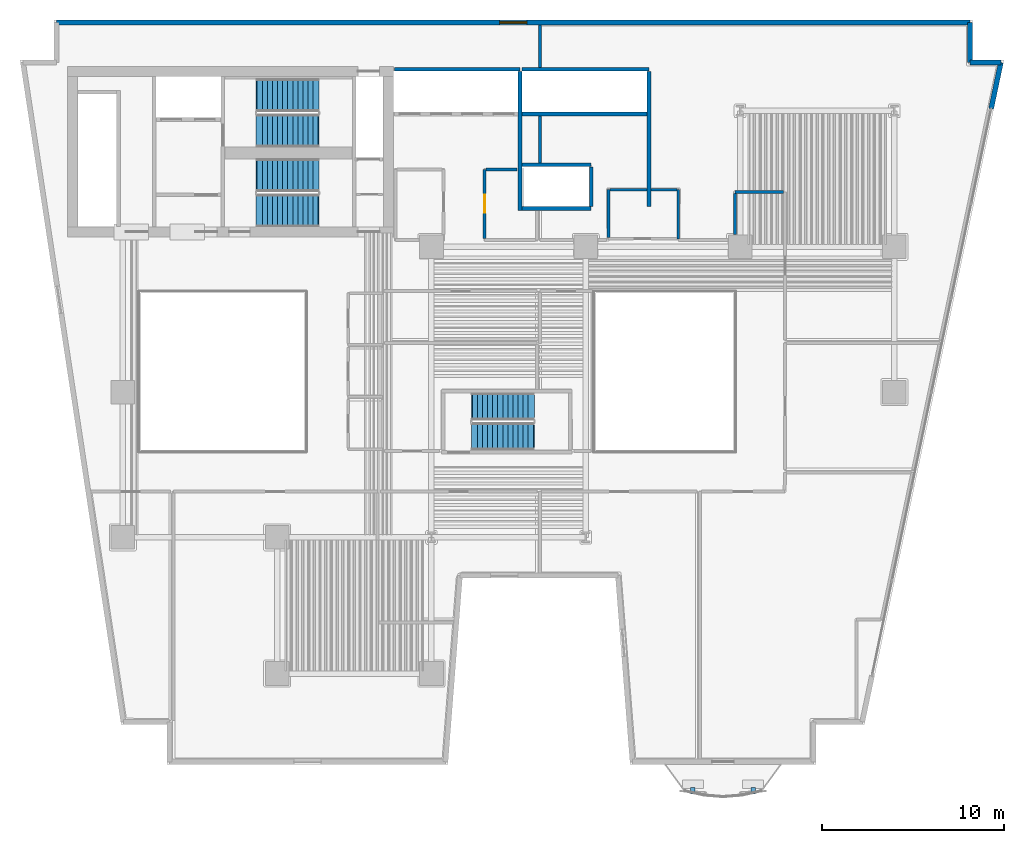
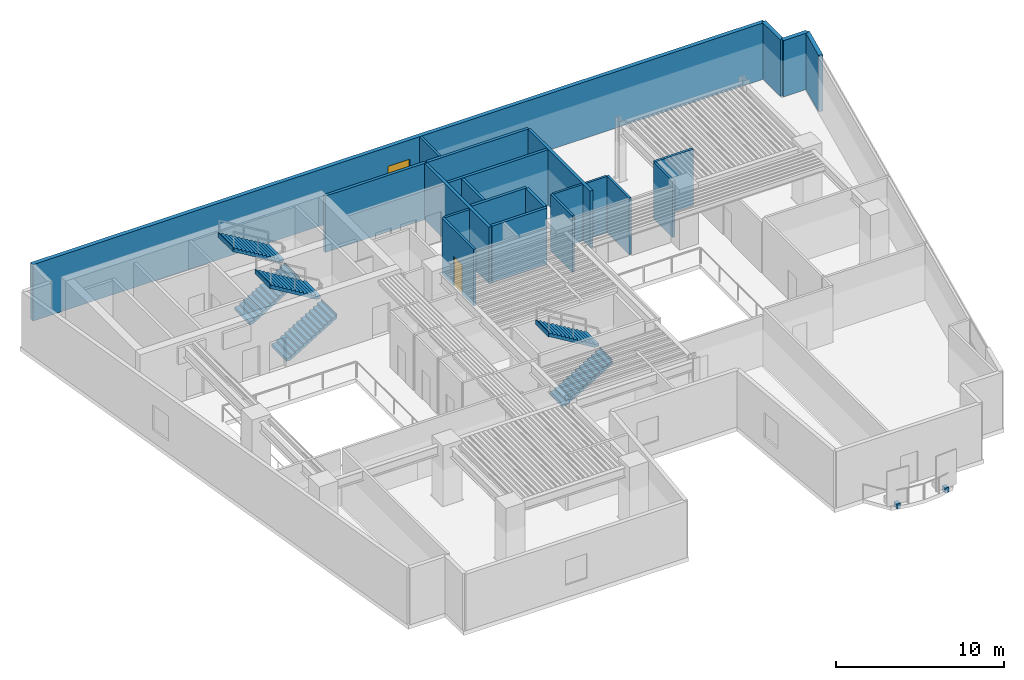
# One storey, part 6 of 11: 22 walls, 6 stair flights, 2 discrete accessories, 1 door, 1 window, 2 openings, 3 elements without a shape of their own.
"""IFC4 building model written with IfcOpenShell, lengths in metres."""

from ifc_helpers import new_model, si_unit, direction, frame, frame_2d, origin, origin_2d, place, context, subcontext, project, spatial, polyline, rectangle, outline, extrude, material, layer, layer_set, type_object, element, fill, aggregate, save


model = new_model("IFC4")

# Units and contexts
model_context = context("Model", 3, precision=1e-05, world=origin(), true_north=direction((0.0, 1.0)))
body_context = subcontext(model_context, "Body", "Model", "MODEL_VIEW")
ifc_project = project(units=[si_unit("LENGTHUNIT", "METRE"), si_unit("AREAUNIT", "SQUARE_METRE"), si_unit("VOLUMEUNIT", "CUBIC_METRE"), si_unit("PLANEANGLEUNIT", "RADIAN"), si_unit("MASSUNIT", "GRAM", prefix="KILO")], contexts=[model_context])

# Site, building, storey
site_placement = place(None, origin())
site = spatial("IfcSite", under=ifc_project, at=site_placement, CompositionType="ELEMENT")
building_placement = place(site_placement, origin())
building = spatial("IfcBuilding", under=site, at=building_placement, Name="Caeloran Harvest Quay", CompositionType="ELEMENT")
storey_placement = place(building_placement, frame((0.0, 0.0, 62.199951171875)))
storey = spatial("IfcBuildingStorey", under=building, at=storey_placement, Name="L14", CompositionType="ELEMENT", Elevation=62.199951171875)

# Wall, opening, window
ifc_material_1 = material(Name="Precast concrete C50/60", Category="concrete")
ifc_layer_1 = layer(ifc_material_1, 0.280029296875, Name="Precast concrete C50/60")
ifc_layer_set_1 = layer_set([ifc_layer_1], Name="Precast concrete C50/60")
wall_type_1 = type_object("IfcWallType", Name="ENV-WALL-EW-280", PredefinedType="STANDARD", material=ifc_layer_set_1)
wall_1_placement = place(storey_placement, frame((4.840087890625, 43.360107421875, 0.0), z_axis=(0.0, 0.0, 1.0), x_axis=(1.0, 0.0, 0.0)))
wall_1 = element("IfcWall", 1, at=wall_1_placement, inside=storey, type_object=wall_type_1, Name="L14 Exterior Precast Concrete Facade Wall 6", PredefinedType="STANDARD", context=body_context, shape_type="SweptSolid", body=[
    extrude(rectangle(XDim=50.31982421875, YDim=0.280029296875, at=frame_2d((25.159912109375, 0.0))), origin(), (0.0, 0.0, 1.0), 4.10009765625),
])
opening_1_placement = place(wall_1_placement, frame((24.409912109375, 0.0, 0.89990234375)))
opening_1 = element("IfcOpeningElement", 2, at=opening_1_placement, cuts=wall_1, Name="Opening W-03", PredefinedType="OPENING", context=body_context, shape_type="SweptSolid", body=[
    extrude(rectangle(XDim=1.5, YDim=1.800048828125, at=frame_2d((0.75, 0.89990234375))), frame((0.0, 0.14990234375, 0.0), z_axis=(0.0, -1.0, 0.0), x_axis=(1.0, 0.0, 0.0)), (0.0, 0.0, 1.0), 0.300048828125),
])
ifc_material_2 = material(Name="Aluminium-Framed Low-E Laminated Glass", Category="aluminium")
window_type = type_object("IfcWindowType", Name="WIN-W-03", PartitioningType="SINGLE_PANEL", PredefinedType="WINDOW", material=ifc_material_2)
window_placement = place(opening_1_placement, origin())
window = element("IfcWindow", 3, at=window_placement, inside=storey, type_object=window_type, Name="L14 Facade Punched Window W-03", OverallHeight=1.800048828125, OverallWidth=1.5, PartitioningType="SINGLE_PANEL", PredefinedType="WINDOW", context=body_context, shape_type="SweptSolid", body=[
    extrude(rectangle(XDim=1.5, YDim=1.800048828125, at=frame_2d((0.75, 0.89990234375))), frame((0.0, 0.030029296875, 0.0), z_axis=(0.0, -1.0, 0.0), x_axis=(1.0, 0.0, 0.0)), (0.0, 0.0, 1.0), 0.06005859375),
])
fill(opening_1, window)

# Walls
wall_2_placement = place(storey_placement, frame((55.159912109375, 43.360107421875, 0.0), z_axis=(0.0, 0.0, 1.0), x_axis=(0.0, -1.0, 0.0)))
element("IfcWall", 4, at=wall_2_placement, inside=storey, type_object=wall_type_1, Name="L14 Exterior Precast Concrete Facade Wall 7", PredefinedType="STANDARD", context=body_context, shape_type="SweptSolid", body=[
    extrude(rectangle(XDim=2.2001953125, YDim=0.280029296875, at=frame_2d((1.10009765625, 0.0))), origin(), (0.0, 0.0, 1.0), 4.10009765625),
])
wall_3_placement = place(storey_placement, frame((55.159912109375, 41.159912109375, 0.0), z_axis=(0.0, 0.0, 1.0), x_axis=(1.0, 0.0, 0.0)))
element("IfcWall", 5, at=wall_3_placement, inside=storey, type_object=wall_type_1, Name="L14 Exterior Precast Concrete Facade Wall 8", PredefinedType="STANDARD", context=body_context, shape_type="SweptSolid", body=[
    extrude(rectangle(XDim=1.705322265625, YDim=0.280029296875, at=frame_2d((0.8525390625, 0.0))), origin(), (0.0, 0.0, 1.0), 4.10009765625),
])
wall_4_placement = place(storey_placement, frame((56.865234375, 41.159912109375, 0.0), z_axis=(0.0, 0.0, 1.0), x_axis=(-0.205551409765, -0.978646319128, 0.0)))
element("IfcWall", 6, at=wall_4_placement, inside=storey, type_object=wall_type_1, Name="L14 Exterior Facade Corner Pier Wall 9A", PredefinedType="STANDARD", context=body_context, shape_type="SweptSolid", body=[
    extrude(rectangle(XDim=2.599853515625, YDim=0.280029296875, at=frame_2d((1.2998046875, 0.0))), origin(), (0.0, 0.0, 1.0), 4.10009765625),
])
ifc_material_3 = material(Name="Autoclaved Aerated Concrete Blockwork and Plasterboard", Category="masonry")
ifc_layer_2 = layer(ifc_material_3, 0.14990234375, Name="Autoclaved Aerated Concrete Blockwork and Plasterboard")
ifc_layer_set_2 = layer_set([ifc_layer_2], Name="Autoclaved Aerated Concrete Blockwork and Plasterboard")
wall_type_2 = type_object("IfcWallType", Name="INT-WALL-PW-150", PredefinedType="PARTITIONING", material=ifc_layer_set_2)
wall_5_placement = place(storey_placement, frame((39.10009765625, 34.14990234375, 0.0), z_axis=(0.0, 0.0, 1.0), x_axis=(0.0, -1.0, 0.0)))
element("IfcWall", 7, at=wall_5_placement, inside=storey, type_object=wall_type_2, Name="L14 Core Auxiliary Equipment Room Partition Wall", PredefinedType="PARTITIONING", context=body_context, shape_type="SweptSolid", body=[
    extrude(rectangle(XDim=2.699951171875, YDim=0.14990234375, at=frame_2d((1.35009765625, 0.0))), origin(), (0.0, 0.0, 1.0), 4.10009765625),
])
wall_6_placement = place(storey_placement, frame((35.25, 31.530029296875, 0.0), z_axis=(0.0, 0.0, 1.0), x_axis=(0.0, 1.0, 0.0)))
element("IfcWall", 8, at=wall_6_placement, inside=storey, type_object=wall_type_2, Name="L14 Core Auxiliary Equipment Room Partition Wall", PredefinedType="PARTITIONING", context=body_context, shape_type="SweptSolid", body=[
    extrude(rectangle(XDim=2.619873046875, YDim=0.14990234375, at=frame_2d((1.31005859375, 0.0))), origin(), (0.0, 0.0, 1.0), 4.10009765625),
])
wall_7_placement = place(storey_placement, frame((37.5849609375, 34.14990234375, 0.0), z_axis=(0.0, 0.0, 1.0), x_axis=(1.0, 0.0, 0.0)))
element("IfcWall", 9, at=wall_7_placement, inside=storey, type_object=wall_type_2, Name="L14 Core Auxiliary Equipment Room Partition Wall", PredefinedType="PARTITIONING", context=body_context, shape_type="SweptSolid", body=[
    extrude(rectangle(XDim=1.43505859375, YDim=0.14990234375, at=frame_2d((0.717529296875, 0.0))), origin(), (0.0, 0.0, 1.0), 4.10009765625),
])
wall_8_placement = place(storey_placement, frame((35.330078125, 34.14990234375, 0.0), z_axis=(0.0, 0.0, 1.0), x_axis=(1.0, 0.0, 0.0)))
element("IfcWall", 10, at=wall_8_placement, inside=storey, type_object=wall_type_2, Name="L14 Core Auxiliary Equipment Room Partition Wall", PredefinedType="PARTITIONING", context=body_context, shape_type="SweptSolid", body=[
    extrude(rectangle(XDim=2.044921875, YDim=0.14990234375, at=frame_2d((1.0224609375, 0.0))), origin(), (0.0, 0.0, 1.0), 4.10009765625),
])

# Wall, opening, door
ifc_material_4 = material(Name="Autoclaved Aerated Concrete Blockwork", Category="masonry")
ifc_layer_3 = layer(ifc_material_4, 0.1650390625, Name="Autoclaved Aerated Concrete Blockwork")
ifc_layer_set_3 = layer_set([ifc_layer_3], Name="Autoclaved Aerated Concrete Blockwork")
wall_type_3 = type_object("IfcWallType", Name="INT-WALL-PW-165", PredefinedType="PARTITIONING", material=ifc_layer_set_3)
wall_9_placement = place(storey_placement, frame((28.429931640625, 31.467529296875, 0.0), z_axis=(0.0, 0.0, 1.0), x_axis=(0.0, 1.0, 0.0)))
wall_9 = element("IfcWall", 11, at=wall_9_placement, inside=storey, type_object=wall_type_3, Name="Seedling Sensory Salon Lounge 10 Partition Wall", PredefinedType="PARTITIONING", context=body_context, shape_type="SweptSolid", body=[
    extrude(rectangle(XDim=3.802490234375, YDim=0.1650390625, at=frame_2d((1.9013671875, 0.0))), origin(), (0.0, 0.0, 1.0), 4.10009765625),
])
opening_2_placement = place(wall_9_placement, frame((1.4013671875, 0.0, 0.0)))
opening_2 = element("IfcOpeningElement", 12, at=opening_2_placement, cuts=wall_9, Name="Opening ID-01", PredefinedType="OPENING", context=body_context, shape_type="SweptSolid", body=[
    extrude(rectangle(XDim=1.0, YDim=2.14990234375, at=frame_2d((0.5, 1.074951171875))), frame((0.0, 0.092529296875, 0.0), z_axis=(0.0, -1.0, 0.0), x_axis=(1.0, 0.0, 0.0)), (0.0, 0.0, 1.0), 0.18505859375),
])
ifc_material_5 = material(Name="FSC Solid-Core Ash Timber and Acoustic Seal", Category="wood")
door_type = type_object("IfcDoorType", Name="INTDOOR-ID-01", OperationType="NOTDEFINED", PredefinedType="DOOR", material=ifc_material_5)
door_placement = place(opening_2_placement, origin())
door = element("IfcDoor", 13, at=door_placement, inside=storey, type_object=door_type, Name="Seedling Sensory Salon Lounge 10 Access Door", OperationType="SINGLE_SWING_RIGHT", OverallHeight=2.14990234375, OverallWidth=1.0, PredefinedType="DOOR", context=body_context, shape_type="SweptSolid", body=[
    extrude(rectangle(XDim=1.0, YDim=2.14990234375, at=frame_2d((0.5, 1.074951171875))), frame((0.0, 0.02490234375, 0.0), z_axis=(0.0, -1.0, 0.0), x_axis=(1.0, 0.0, 0.0)), (0.0, 0.0, 1.0), 0.050048828125),
])
fill(opening_2, door)

# Walls
wall_10_placement = place(storey_placement, frame((28.517578125, 35.27001953125, 0.0), z_axis=(0.0, 0.0, 1.0), x_axis=(1.0, 0.0, 0.0)))
element("IfcWall", 14, at=wall_10_placement, inside=storey, type_object=wall_type_3, Name="Seedling Sensory Salon Lounge 10 Partition Wall", PredefinedType="PARTITIONING", context=body_context, shape_type="SweptSolid", body=[
    extrude(rectangle(XDim=1.702392578125, YDim=0.1650390625, at=frame_2d((0.85107421875, 0.0))), origin(), (0.0, 0.0, 1.0), 4.10009765625),
])
wall_11_placement = place(storey_placement, frame((31.47998046875, 35.635009765625, 0.0), z_axis=(0.0, 0.0, 1.0), x_axis=(0.0, 1.0, 0.0)))
element("IfcWall", 15, at=wall_11_placement, inside=storey, type_object=wall_type_3, Name="Harvest Seminar Room 12 Partition Wall", PredefinedType="PARTITIONING", context=body_context, shape_type="SweptSolid", body=[
    extrude(rectangle(XDim=2.580078125, YDim=0.1650390625, at=frame_2d((1.2900390625, 0.0))), origin(), (0.0, 0.0, 1.0), 4.10009765625),
])
wall_12_placement = place(storey_placement, frame((31.47998046875, 40.885009765625, 0.0), z_axis=(0.0, 0.0, 1.0), x_axis=(0.0, 1.0, 0.0)))
element("IfcWall", 16, at=wall_12_placement, inside=storey, type_object=wall_type_3, Name="Harvest Seminar Room 12 Partition Wall", PredefinedType="PARTITIONING", context=body_context, shape_type="SweptSolid", body=[
    extrude(rectangle(XDim=2.330078125, YDim=0.1650390625, at=frame_2d((1.1650390625, 0.0))), origin(), (0.0, 0.0, 1.0), 4.10009765625),
])
wall_13_placement = place(storey_placement, frame((44.892578125, 34.030029296875, 0.0), z_axis=(0.0, 0.0, 1.0), x_axis=(-1.0, 0.0, 0.0)))
element("IfcWall", 17, at=wall_13_placement, inside=storey, type_object=wall_type_3, Name="Harvest Seminar Room 12 Partition Wall", PredefinedType="PARTITIONING", context=body_context, shape_type="SweptSolid", body=[
    extrude(rectangle(XDim=2.672607421875, YDim=0.1650390625, at=frame_2d((1.33642578125, 0.0))), origin(), (0.0, 0.0, 1.0), 4.10009765625),
])
wall_14_placement = place(storey_placement, frame((42.219970703125, 33.9423828125, 0.0), z_axis=(0.0, 0.0, 1.0), x_axis=(0.0, -1.0, 0.0)))
element("IfcWall", 18, at=wall_14_placement, inside=storey, type_object=wall_type_3, Name="Harvest Seminar Room 12 Partition Wall", PredefinedType="PARTITIONING", context=body_context, shape_type="SweptSolid", body=[
    extrude(rectangle(XDim=2.267333984375, YDim=0.1650390625, at=frame_2d((1.1337890625, 0.0))), origin(), (0.0, 0.0, 1.0), 4.10009765625),
])
ifc_material_6 = material(Name="Concrete C50/60", Category="concrete")
ifc_layer_4 = layer(ifc_material_6, 0.199951171875, Name="Concrete C50/60")
ifc_layer_set_4 = layer_set([ifc_layer_4], Name="Concrete C50/60")
wall_type_4 = type_object("IfcWallType", Name="INT-WALL-SW-200", PredefinedType="PARTITIONING", material=ifc_layer_set_4)
wall_15_placement = place(storey_placement, frame((23.469970703125, 40.780029296875, 0.0), z_axis=(0.0, 0.0, 1.0), x_axis=(1.0, 0.0, 0.0)))
element("IfcWall", 19, at=wall_15_placement, inside=storey, type_object=wall_type_4, Name="L14 Bank 1 Lift Shaft North Wall", PredefinedType="PARTITIONING", context=body_context, shape_type="SweptSolid", body=[
    extrude(rectangle(XDim=6.909912109375, YDim=0.199951171875, at=frame_2d((3.455078125, 0.0))), origin(), (0.0, 0.0, 1.0), 4.10009765625),
])
wall_16_placement = place(storey_placement, frame((30.3798828125, 33.02001953125, 0.0), z_axis=(0.0, 0.0, 1.0), x_axis=(0.0, 1.0, 0.0)))
element("IfcWall", 20, at=wall_16_placement, inside=storey, type_object=wall_type_4, Name="L14 Bank 1 Lift Shaft East Wall", PredefinedType="PARTITIONING", context=body_context, shape_type="SweptSolid", body=[
    extrude(rectangle(XDim=7.639892578125, YDim=0.199951171875, at=frame_2d((3.81982421875, 0.0))), origin(), (0.0, 0.0, 1.0), 4.10009765625),
])
wall_17_placement = place(storey_placement, frame((30.5, 40.780029296875, 0.0), z_axis=(0.0, 0.0, 1.0), x_axis=(1.0, 0.0, 0.0)))
element("IfcWall", 21, at=wall_17_placement, inside=storey, type_object=wall_type_4, Name="L14 Bank 2 Lift Shaft North Wall", PredefinedType="PARTITIONING", context=body_context, shape_type="SweptSolid", body=[
    extrude(rectangle(XDim=6.97998046875, YDim=0.199951171875, at=frame_2d((3.489990234375, 0.0))), origin(), (0.0, 0.0, 1.0), 4.10009765625),
])
wall_18_placement = place(storey_placement, frame((37.47998046875, 33.239990234375, 0.0), z_axis=(0.0, 0.0, 1.0), x_axis=(0.0, 1.0, 0.0)))
element("IfcWall", 22, at=wall_18_placement, inside=storey, type_object=wall_type_4, Name="L14 Bank 2 Lift Shaft East Wall", PredefinedType="PARTITIONING", context=body_context, shape_type="SweptSolid", body=[
    extrude(rectangle(XDim=7.419921875, YDim=0.199951171875, at=frame_2d((3.7099609375, 0.0))), origin(), (0.0, 0.0, 1.0), 4.10009765625),
])
wall_19_placement = place(storey_placement, frame((30.5, 38.320068359375, 0.0), z_axis=(0.0, 0.0, 1.0), x_axis=(1.0, 0.0, 0.0)))
element("IfcWall", 23, at=wall_19_placement, inside=storey, type_object=wall_type_4, Name="L14 Bank 2 Lift Landing Front Wall", PredefinedType="PARTITIONING", context=body_context, shape_type="SweptSolid", body=[
    extrude(rectangle(XDim=6.860107421875, YDim=0.199951171875, at=frame_2d((3.43017578125, 0.0))), origin(), (0.0, 0.0, 1.0), 4.10009765625),
])
for number, where, z_axis, x_axis, name in (
    (24, (30.5, 35.530029296875, 0.0), (0.0, 0.0, 1.0), (1.0, 0.0, 0.0), "L14 Shuttle Lift Landing Front Wall"),
    (25, (30.5, 33.1201171875, 0.0), (0.0, 0.0, 1.0), (1.0, 0.0, 0.0), "L14 Shuttle Lift Shaft South Wall"),
):
    element("IfcWall", number, at=place(storey_placement, frame(where, z_axis=z_axis, x_axis=x_axis)), inside=storey, type_object=wall_type_4, Name=name, PredefinedType="PARTITIONING", context=body_context, shape_type="SweptSolid", body=[
        extrude(rectangle(XDim=3.800048828125, YDim=0.199951171875, at=frame_2d((1.89990234375, 0.0))), origin(), (0.0, 0.0, 1.0), 4.10009765625),
    ])
wall_20_placement = place(storey_placement, frame((34.300048828125, 33.239990234375, 0.0), z_axis=(0.0, 0.0, 1.0), x_axis=(0.0, 1.0, 0.0)))
element("IfcWall", 26, at=wall_20_placement, inside=storey, type_object=wall_type_4, Name="L14 Shuttle Lift Shaft East Wall", PredefinedType="PARTITIONING", context=body_context, shape_type="SweptSolid", body=[
    extrude(rectangle(XDim=2.169921875, YDim=0.199951171875, at=frame_2d((1.0849609375, 0.0))), origin(), (0.0, 0.0, 1.0), 4.10009765625),
])

# Stair, stair flights
stair_type_1 = type_object("IfcStairType", Name="STAIR-STC-180", PredefinedType="HALF_TURN_STAIR", material=ifc_material_6)
stair_1_placement = place(storey_placement, origin())
stair_1 = element("IfcStair", 27, at=stair_1_placement, inside=storey, type_object=stair_type_1, Name="L14 Core Pressurized Exit Stair ST-C1", PredefinedType="HALF_TURN_STAIR")
stair_flight_type_1 = type_object("IfcStairFlightType", Name="FLIGHT-STC-180", PredefinedType="STRAIGHT", material=ifc_material_6)
stair_flight_1_placement = place(storey_placement, frame((15.89990234375, 37.39990234375, 0.0), z_axis=(0.0, 0.0, 1.0), x_axis=(1.0, 0.0, 0.0)))
stair_flight_1 = element("IfcStairFlight", 28, at=stair_flight_1_placement, type_object=stair_flight_type_1, Name="ST-C1 flight 1", NumberOfRisers=13, NumberOfTreads=12, PredefinedType="STRAIGHT", RiserHeight=0.169230769, TreadLength=0.28, context=body_context, shape_type="SweptSolid", body=[
    extrude(outline(polyline([(-0.054931640625, -0.044921875), (-0.054931640625, -0.031494140625), (-0.054931640625, -0.018310546875), (-0.054931640625, -0.0048828125), (-0.054931640625, 0.008544921875), (-0.054931640625, 0.02197265625), (-0.054931640625, 0.035400390625), (-0.054931640625, 0.048828125), (-0.054931640625, 0.06201171875), (-0.054931640625, 0.075439453125), (-0.054931640625, 0.0888671875), (-0.054931640625, 0.102294921875), (-0.054931640625, 0.11572265625), (-0.054931640625, 0.129150390625), (-0.054931640625, 0.142333984375), (-0.054931640625, 0.15576171875), (-0.054931640625, 0.169189453125), (0.280029296875, 0.169189453125), (0.280029296875, 0.33837890625), (0.56005859375, 0.33837890625), (0.56005859375, 0.5078125), (0.840087890625, 0.5078125), (0.840087890625, 0.677001953125), (1.1201171875, 0.677001953125), (1.1201171875, 0.84619140625), (1.39990234375, 0.84619140625), (1.39990234375, 1.015380859375), (1.679931640625, 1.015380859375), (1.679931640625, 1.1845703125), (1.9599609375, 1.1845703125), (1.9599609375, 1.353759765625), (2.239990234375, 1.353759765625), (2.239990234375, 1.523193359375), (2.52001953125, 1.523193359375), (2.52001953125, 1.6923828125), (2.800048828125, 1.6923828125), (2.800048828125, 1.861572265625), (3.080078125, 1.861572265625), (3.080078125, 2.03076171875), (3.360107421875, 2.03076171875), (3.360107421875, 2.199951171875), (3.4150390625, 2.199951171875), (3.4150390625, 2.178466796875), (3.4150390625, 2.156982421875), (3.4150390625, 2.135498046875), (3.4150390625, 2.114013671875), (3.4150390625, 2.09228515625), (3.4150390625, 2.07080078125), (3.4150390625, 2.04931640625), (3.4150390625, 2.02783203125), (3.4150390625, 2.00634765625), (3.4150390625, 1.98486328125), (3.4150390625, 1.963134765625), (3.4150390625, 1.941650390625), (3.4150390625, 1.920166015625), (3.4150390625, 1.898681640625), (3.4150390625, 1.877197265625), (3.4150390625, 1.855712890625), (3.360107421875, 1.855712890625), (0.21533203125, -0.044921875), (-0.054931640625, -0.044921875)])), frame((0.0, 0.89990234375, 0.0), z_axis=(0.0, -1.0, 0.0), x_axis=(1.0, 0.0, 0.0)), (0.0, 0.0, 1.0), 1.800048828125),
])
stair_flight_2_placement = place(storey_placement, frame((19.260009765625, 39.35009765625, 2.199951171875), z_axis=(0.0, 0.0, 1.0), x_axis=(-1.0, 0.0, 0.0)))
stair_flight_2 = element("IfcStairFlight", 29, at=stair_flight_2_placement, type_object=stair_flight_type_1, Name="ST-C1 flight 2", NumberOfRisers=13, NumberOfTreads=12, PredefinedType="STRAIGHT", RiserHeight=0.169230769, TreadLength=0.28, context=body_context, shape_type="SweptSolid", body=[
    extrude(outline(polyline([(-0.054931640625, -0.044921875), (-0.054931640625, -0.031494140625), (-0.054931640625, -0.018310546875), (-0.054931640625, -0.0048828125), (-0.054931640625, 0.008544921875), (-0.054931640625, 0.02197265625), (-0.054931640625, 0.035400390625), (-0.054931640625, 0.048828125), (-0.054931640625, 0.06201171875), (-0.054931640625, 0.075439453125), (-0.054931640625, 0.0888671875), (-0.054931640625, 0.102294921875), (-0.054931640625, 0.11572265625), (-0.054931640625, 0.129150390625), (-0.054931640625, 0.142333984375), (-0.054931640625, 0.15576171875), (-0.054931640625, 0.169189453125), (0.280029296875, 0.169189453125), (0.280029296875, 0.33837890625), (0.56005859375, 0.33837890625), (0.56005859375, 0.5078125), (0.840087890625, 0.5078125), (0.840087890625, 0.677001953125), (1.1201171875, 0.677001953125), (1.1201171875, 0.84619140625), (1.39990234375, 0.84619140625), (1.39990234375, 1.015380859375), (1.679931640625, 1.015380859375), (1.679931640625, 1.1845703125), (1.9599609375, 1.1845703125), (1.9599609375, 1.353759765625), (2.239990234375, 1.353759765625), (2.239990234375, 1.523193359375), (2.52001953125, 1.523193359375), (2.52001953125, 1.6923828125), (2.800048828125, 1.6923828125), (2.800048828125, 1.861572265625), (3.080078125, 1.861572265625), (3.080078125, 2.03076171875), (3.360107421875, 2.03076171875), (3.360107421875, 2.199951171875), (3.4150390625, 2.199951171875), (3.4150390625, 2.178466796875), (3.4150390625, 2.156982421875), (3.4150390625, 2.135498046875), (3.4150390625, 2.114013671875), (3.4150390625, 2.09228515625), (3.4150390625, 2.07080078125), (3.4150390625, 2.04931640625), (3.4150390625, 2.02783203125), (3.4150390625, 2.00634765625), (3.4150390625, 1.98486328125), (3.4150390625, 1.963134765625), (3.4150390625, 1.941650390625), (3.4150390625, 1.920166015625), (3.4150390625, 1.898681640625), (3.4150390625, 1.877197265625), (3.4150390625, 1.855712890625), (3.360107421875, 1.855712890625), (0.21533203125, -0.044921875), (-0.054931640625, -0.044921875)])), frame((0.0, 0.89990234375, 0.0), z_axis=(0.0, -1.0, 0.0), x_axis=(1.0, 0.0, 0.0)), (0.0, 0.0, 1.0), 1.800048828125),
])
aggregate(stair_1, [stair_flight_1, stair_flight_2])

stair_2_placement = place(storey_placement, origin())
stair_2 = element("IfcStair", 30, at=stair_2_placement, inside=storey, type_object=stair_type_1, Name="L14 Core Pressurized Exit Stair ST-C2", PredefinedType="HALF_TURN_STAIR")
stair_flight_3_placement = place(storey_placement, frame((15.89990234375, 33.0, 0.0), z_axis=(0.0, 0.0, 1.0), x_axis=(1.0, 0.0, 0.0)))
stair_flight_3 = element("IfcStairFlight", 31, at=stair_flight_3_placement, type_object=stair_flight_type_1, Name="ST-C2 flight 1", NumberOfRisers=13, NumberOfTreads=12, PredefinedType="STRAIGHT", RiserHeight=0.169230769, TreadLength=0.28, context=body_context, shape_type="SweptSolid", body=[
    extrude(outline(polyline([(-0.054931640625, -0.044921875), (-0.054931640625, -0.031494140625), (-0.054931640625, -0.018310546875), (-0.054931640625, -0.0048828125), (-0.054931640625, 0.008544921875), (-0.054931640625, 0.02197265625), (-0.054931640625, 0.035400390625), (-0.054931640625, 0.048828125), (-0.054931640625, 0.06201171875), (-0.054931640625, 0.075439453125), (-0.054931640625, 0.0888671875), (-0.054931640625, 0.102294921875), (-0.054931640625, 0.11572265625), (-0.054931640625, 0.129150390625), (-0.054931640625, 0.142333984375), (-0.054931640625, 0.15576171875), (-0.054931640625, 0.169189453125), (0.280029296875, 0.169189453125), (0.280029296875, 0.33837890625), (0.56005859375, 0.33837890625), (0.56005859375, 0.5078125), (0.840087890625, 0.5078125), (0.840087890625, 0.677001953125), (1.1201171875, 0.677001953125), (1.1201171875, 0.84619140625), (1.39990234375, 0.84619140625), (1.39990234375, 1.015380859375), (1.679931640625, 1.015380859375), (1.679931640625, 1.1845703125), (1.9599609375, 1.1845703125), (1.9599609375, 1.353759765625), (2.239990234375, 1.353759765625), (2.239990234375, 1.523193359375), (2.52001953125, 1.523193359375), (2.52001953125, 1.6923828125), (2.800048828125, 1.6923828125), (2.800048828125, 1.861572265625), (3.080078125, 1.861572265625), (3.080078125, 2.03076171875), (3.360107421875, 2.03076171875), (3.360107421875, 2.199951171875), (3.4150390625, 2.199951171875), (3.4150390625, 2.178466796875), (3.4150390625, 2.156982421875), (3.4150390625, 2.135498046875), (3.4150390625, 2.114013671875), (3.4150390625, 2.09228515625), (3.4150390625, 2.07080078125), (3.4150390625, 2.04931640625), (3.4150390625, 2.02783203125), (3.4150390625, 2.00634765625), (3.4150390625, 1.98486328125), (3.4150390625, 1.963134765625), (3.4150390625, 1.941650390625), (3.4150390625, 1.920166015625), (3.4150390625, 1.898681640625), (3.4150390625, 1.877197265625), (3.4150390625, 1.855712890625), (3.360107421875, 1.855712890625), (0.21533203125, -0.044921875), (-0.054931640625, -0.044921875)])), frame((0.0, 0.89990234375, 0.0), z_axis=(0.0, -1.0, 0.0), x_axis=(1.0, 0.0, 0.0)), (0.0, 0.0, 1.0), 1.800048828125),
])
stair_flight_4_placement = place(storey_placement, frame((19.260009765625, 34.949951171875, 2.199951171875), z_axis=(0.0, 0.0, 1.0), x_axis=(-1.0, 0.0, 0.0)))
stair_flight_4 = element("IfcStairFlight", 32, at=stair_flight_4_placement, type_object=stair_flight_type_1, Name="ST-C2 flight 2", NumberOfRisers=13, NumberOfTreads=12, PredefinedType="STRAIGHT", RiserHeight=0.169230769, TreadLength=0.28, context=body_context, shape_type="SweptSolid", body=[
    extrude(outline(polyline([(-0.054931640625, -0.044921875), (-0.054931640625, -0.031494140625), (-0.054931640625, -0.018310546875), (-0.054931640625, -0.0048828125), (-0.054931640625, 0.008544921875), (-0.054931640625, 0.02197265625), (-0.054931640625, 0.035400390625), (-0.054931640625, 0.048828125), (-0.054931640625, 0.06201171875), (-0.054931640625, 0.075439453125), (-0.054931640625, 0.0888671875), (-0.054931640625, 0.102294921875), (-0.054931640625, 0.11572265625), (-0.054931640625, 0.129150390625), (-0.054931640625, 0.142333984375), (-0.054931640625, 0.15576171875), (-0.054931640625, 0.169189453125), (0.280029296875, 0.169189453125), (0.280029296875, 0.33837890625), (0.56005859375, 0.33837890625), (0.56005859375, 0.5078125), (0.840087890625, 0.5078125), (0.840087890625, 0.677001953125), (1.1201171875, 0.677001953125), (1.1201171875, 0.84619140625), (1.39990234375, 0.84619140625), (1.39990234375, 1.015380859375), (1.679931640625, 1.015380859375), (1.679931640625, 1.1845703125), (1.9599609375, 1.1845703125), (1.9599609375, 1.353759765625), (2.239990234375, 1.353759765625), (2.239990234375, 1.523193359375), (2.52001953125, 1.523193359375), (2.52001953125, 1.6923828125), (2.800048828125, 1.6923828125), (2.800048828125, 1.861572265625), (3.080078125, 1.861572265625), (3.080078125, 2.03076171875), (3.360107421875, 2.03076171875), (3.360107421875, 2.199951171875), (3.4150390625, 2.199951171875), (3.4150390625, 2.178466796875), (3.4150390625, 2.156982421875), (3.4150390625, 2.135498046875), (3.4150390625, 2.114013671875), (3.4150390625, 2.09228515625), (3.4150390625, 2.07080078125), (3.4150390625, 2.04931640625), (3.4150390625, 2.02783203125), (3.4150390625, 2.00634765625), (3.4150390625, 1.98486328125), (3.4150390625, 1.963134765625), (3.4150390625, 1.941650390625), (3.4150390625, 1.920166015625), (3.4150390625, 1.898681640625), (3.4150390625, 1.877197265625), (3.4150390625, 1.855712890625), (3.360107421875, 1.855712890625), (0.21533203125, -0.044921875), (-0.054931640625, -0.044921875)])), frame((0.0, 0.89990234375, 0.0), z_axis=(0.0, -1.0, 0.0), x_axis=(1.0, 0.0, 0.0)), (0.0, 0.0, 1.0), 1.800048828125),
])
aggregate(stair_2, [stair_flight_3, stair_flight_4])

stair_type_2 = type_object("IfcStairType", Name="STAIR-STW-150", PredefinedType="HALF_TURN_STAIR", material=ifc_material_6)
stair_3_placement = place(storey_placement, origin())
stair_3 = element("IfcStair", 33, at=stair_3_placement, inside=storey, type_object=stair_type_2, Name="L14 East Wing Protected Exit Stair ST-W1", PredefinedType="HALF_TURN_STAIR")
stair_flight_type_2 = type_object("IfcStairFlightType", Name="FLIGHT-STW-150", PredefinedType="STRAIGHT", material=ifc_material_6)
stair_flight_5_placement = place(storey_placement, frame((27.75, 20.550048828125, 0.0), z_axis=(0.0, 0.0, 1.0), x_axis=(1.0, 0.0, 0.0)))
stair_flight_5 = element("IfcStairFlight", 34, at=stair_flight_5_placement, type_object=stair_flight_type_2, Name="ST-W1 flight 1", NumberOfRisers=13, NumberOfTreads=12, PredefinedType="STRAIGHT", RiserHeight=0.169230769, TreadLength=0.28, context=body_context, shape_type="SweptSolid", body=[
    extrude(outline(polyline([(-0.054931640625, -0.044921875), (-0.054931640625, -0.031494140625), (-0.054931640625, -0.018310546875), (-0.054931640625, -0.0048828125), (-0.054931640625, 0.008544921875), (-0.054931640625, 0.02197265625), (-0.054931640625, 0.035400390625), (-0.054931640625, 0.048828125), (-0.054931640625, 0.06201171875), (-0.054931640625, 0.075439453125), (-0.054931640625, 0.0888671875), (-0.054931640625, 0.102294921875), (-0.054931640625, 0.11572265625), (-0.054931640625, 0.129150390625), (-0.054931640625, 0.142333984375), (-0.054931640625, 0.15576171875), (-0.054931640625, 0.169189453125), (0.280029296875, 0.169189453125), (0.280029296875, 0.33837890625), (0.56005859375, 0.33837890625), (0.56005859375, 0.5078125), (0.840087890625, 0.5078125), (0.840087890625, 0.677001953125), (1.1201171875, 0.677001953125), (1.1201171875, 0.84619140625), (1.39990234375, 0.84619140625), (1.39990234375, 1.015380859375), (1.679931640625, 1.015380859375), (1.679931640625, 1.1845703125), (1.9599609375, 1.1845703125), (1.9599609375, 1.353759765625), (2.239990234375, 1.353759765625), (2.239990234375, 1.523193359375), (2.52001953125, 1.523193359375), (2.52001953125, 1.6923828125), (2.800048828125, 1.6923828125), (2.800048828125, 1.861572265625), (3.080078125, 1.861572265625), (3.080078125, 2.03076171875), (3.360107421875, 2.03076171875), (3.360107421875, 2.199951171875), (3.4150390625, 2.199951171875), (3.4150390625, 2.178466796875), (3.4150390625, 2.156982421875), (3.4150390625, 2.135498046875), (3.4150390625, 2.114013671875), (3.4150390625, 2.09228515625), (3.4150390625, 2.07080078125), (3.4150390625, 2.04931640625), (3.4150390625, 2.02783203125), (3.4150390625, 2.00634765625), (3.4150390625, 1.98486328125), (3.4150390625, 1.963134765625), (3.4150390625, 1.941650390625), (3.4150390625, 1.920166015625), (3.4150390625, 1.898681640625), (3.4150390625, 1.877197265625), (3.4150390625, 1.855712890625), (3.360107421875, 1.855712890625), (0.21533203125, -0.044921875), (-0.054931640625, -0.044921875)])), frame((0.0, 0.75, 0.0), z_axis=(0.0, -1.0, 0.0), x_axis=(1.0, 0.0, 0.0)), (0.0, 0.0, 1.0), 1.5),
])
stair_flight_6_placement = place(storey_placement, frame((31.110107421875, 22.199951171875, 2.199951171875), z_axis=(0.0, 0.0, 1.0), x_axis=(-1.0, 0.0, 0.0)))
stair_flight_6 = element("IfcStairFlight", 35, at=stair_flight_6_placement, type_object=stair_flight_type_2, Name="ST-W1 flight 2", NumberOfRisers=13, NumberOfTreads=12, PredefinedType="STRAIGHT", RiserHeight=0.169230769, TreadLength=0.28, context=body_context, shape_type="SweptSolid", body=[
    extrude(outline(polyline([(-0.054931640625, -0.044921875), (-0.054931640625, -0.031494140625), (-0.054931640625, -0.018310546875), (-0.054931640625, -0.0048828125), (-0.054931640625, 0.008544921875), (-0.054931640625, 0.02197265625), (-0.054931640625, 0.035400390625), (-0.054931640625, 0.048828125), (-0.054931640625, 0.06201171875), (-0.054931640625, 0.075439453125), (-0.054931640625, 0.0888671875), (-0.054931640625, 0.102294921875), (-0.054931640625, 0.11572265625), (-0.054931640625, 0.129150390625), (-0.054931640625, 0.142333984375), (-0.054931640625, 0.15576171875), (-0.054931640625, 0.169189453125), (0.280029296875, 0.169189453125), (0.280029296875, 0.33837890625), (0.56005859375, 0.33837890625), (0.56005859375, 0.5078125), (0.840087890625, 0.5078125), (0.840087890625, 0.677001953125), (1.1201171875, 0.677001953125), (1.1201171875, 0.84619140625), (1.39990234375, 0.84619140625), (1.39990234375, 1.015380859375), (1.679931640625, 1.015380859375), (1.679931640625, 1.1845703125), (1.9599609375, 1.1845703125), (1.9599609375, 1.353759765625), (2.239990234375, 1.353759765625), (2.239990234375, 1.523193359375), (2.52001953125, 1.523193359375), (2.52001953125, 1.6923828125), (2.800048828125, 1.6923828125), (2.800048828125, 1.861572265625), (3.080078125, 1.861572265625), (3.080078125, 2.03076171875), (3.360107421875, 2.03076171875), (3.360107421875, 2.199951171875), (3.4150390625, 2.199951171875), (3.4150390625, 2.178466796875), (3.4150390625, 2.156982421875), (3.4150390625, 2.135498046875), (3.4150390625, 2.114013671875), (3.4150390625, 2.09228515625), (3.4150390625, 2.07080078125), (3.4150390625, 2.04931640625), (3.4150390625, 2.02783203125), (3.4150390625, 2.00634765625), (3.4150390625, 1.98486328125), (3.4150390625, 1.963134765625), (3.4150390625, 1.941650390625), (3.4150390625, 1.920166015625), (3.4150390625, 1.898681640625), (3.4150390625, 1.877197265625), (3.4150390625, 1.855712890625), (3.360107421875, 1.855712890625), (0.21533203125, -0.044921875), (-0.054931640625, -0.044921875)])), frame((0.0, 0.75, 0.0), z_axis=(0.0, -1.0, 0.0), x_axis=(1.0, 0.0, 0.0)), (0.0, 0.0, 1.0), 1.5),
])
aggregate(stair_3, [stair_flight_5, stair_flight_6])

# Discrete accessories
ifc_material_7 = material(Name="Stainless Steel Grade 316L", Category="steel")
discrete_accessory_type = type_object("IfcDiscreteAccessoryType", Name="BRACKET-SCREEN-SS", PredefinedType="BRACKET", material=ifc_material_7)
for number, where, z_axis, x_axis, name in (
    (36, (43.218505859375, 1.0400390625, -0.22021484375), (0.0, 0.0, 1.0), (1.0, 0.0, 0.0), "L14 Balcony Screen Support Bracket 1"),
    (37, (39.8984375, 1.0400390625, -0.22021484375), (0.0, 0.0, 1.0), (1.0, 0.0, 0.0), "L14 Balcony Screen Support Bracket 2"),
):
    element("IfcDiscreteAccessory", number, at=place(storey_placement, frame(where, z_axis=z_axis, x_axis=x_axis)), inside=storey, type_object=discrete_accessory_type, Name=name, PredefinedType="BRACKET", context=body_context, shape_type="SweptSolid", body=[
        extrude(rectangle(XDim=0.260009765625, YDim=0.340087890625, at=origin_2d()), origin(), (0.0, 0.0, 1.0), 0.360107421875),
    ])

save(model, "model.ifc")
